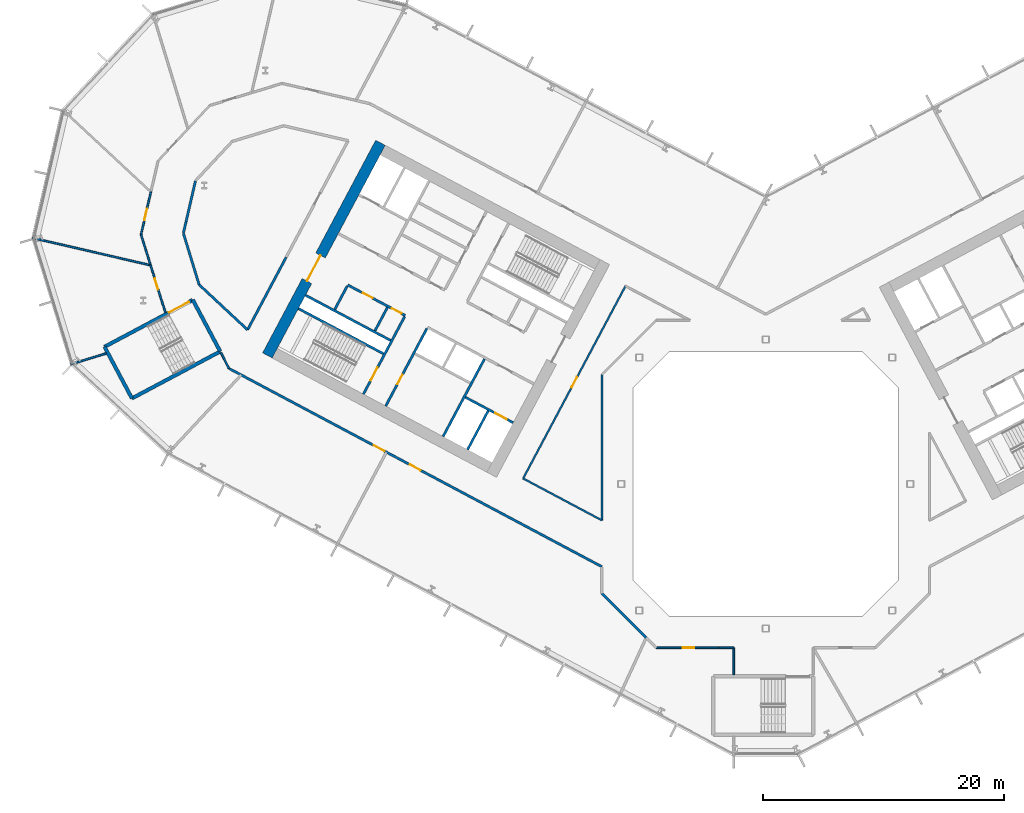
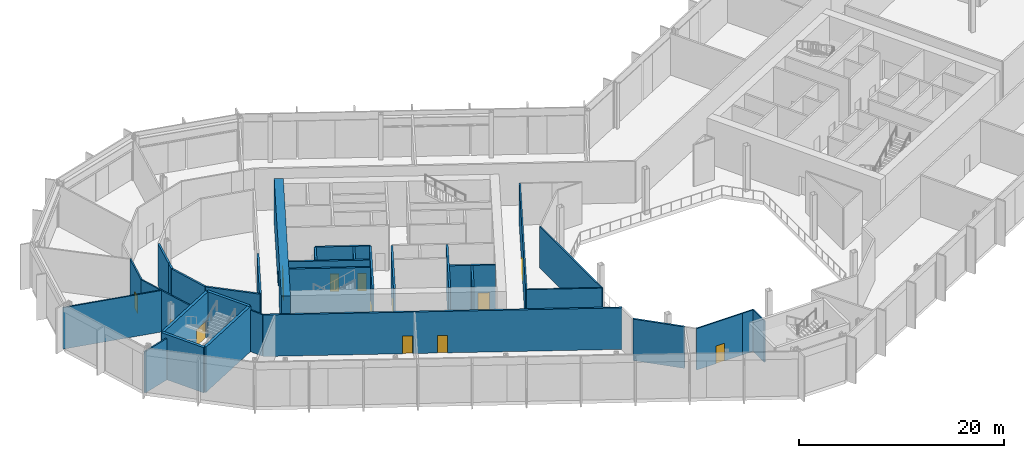
# One storey, part 12 of 30: 34 walls, 13 doors, 13 openings.
"""IFC4 building model written with IfcOpenShell, lengths in metres."""

from ifc_helpers import new_model, si_unit, direction, frame, frame_2d, origin, place, context, subcontext, project, spatial, rectangle, extrude, material, layer, layer_set, type_object, element, fill, save


model = new_model("IFC4")

# Units and contexts
model_context = context("Model", 3, precision=1e-05, world=origin(), true_north=direction((0.0, 1.0)))
body_context = subcontext(model_context, "Body", "Model", "MODEL_VIEW")
ifc_project = project(units=[si_unit("LENGTHUNIT", "METRE"), si_unit("AREAUNIT", "SQUARE_METRE"), si_unit("VOLUMEUNIT", "CUBIC_METRE"), si_unit("PLANEANGLEUNIT", "RADIAN"), si_unit("MASSUNIT", "GRAM", prefix="KILO")], contexts=[model_context])

# Site, building, storey
site_placement = place(None, origin())
site = spatial("IfcSite", under=ifc_project, at=site_placement, CompositionType="ELEMENT")
building_placement = place(site_placement, origin())
building = spatial("IfcBuilding", under=site, at=building_placement, Name="Cormorant Relay Tower", CompositionType="ELEMENT")
storey_placement = place(building_placement, frame((0.0, 0.0, 55.39990234375)))
storey = spatial("IfcBuildingStorey", under=building, at=storey_placement, Name="L10", CompositionType="ELEMENT", Elevation=55.39990234375)

# Walls
ifc_material_1 = material(Name="Concrete 40 MPa", Category="concrete")
ifc_layer_1 = layer(ifc_material_1, 0.199951171875)
ifc_layer_set_1 = layer_set([ifc_layer_1], Name="Core internal wall 200")
wall_type_1 = type_object("IfcWallType", Name="Core internal wall 200", PredefinedType="SOLIDWALL", material=ifc_layer_set_1)
wall_1_placement = place(storey_placement, frame((-31.41259765625, 14.663818359375, 0.0), z_axis=(0.0, 0.0, 1.0), x_axis=(-0.469533832133, -0.882914480843, 0.0)))
element("IfcWall", 1, at=wall_1_placement, inside=storey, type_object=wall_type_1, Name="L10 core A shaft and room wall", PredefinedType="SOLIDWALL", context=body_context, shape_type="SweptSolid", body=[
    extrude(rectangle(XDim=2.199951171875, YDim=0.199951171875, at=frame_2d((1.10009765625, 0.0))), origin(), (0.0, 0.0, 1.0), 5.400146484375),
])
ifc_material_2 = material(Name="Concrete 50 MPa", Category="concrete")
ifc_layer_2 = layer(ifc_material_2, 0.199951171875)
ifc_layer_set_2 = layer_set([ifc_layer_2], Name="Core shaft wall 200")
wall_type_2 = type_object("IfcWallType", Name="Core shaft wall 200", PredefinedType="SHEAR", material=ifc_layer_set_2)
wall_2_placement = place(storey_placement, frame((-23.04296875, 6.07958984375, 0.0), z_axis=(0.0, 0.0, 1.0), x_axis=(-0.469494272526, -0.882935517501, 0.0)))
element("IfcWall", 2, at=wall_2_placement, inside=storey, type_object=wall_type_2, Name="L10 core A shaft wall", PredefinedType="SHEAR", context=body_context, shape_type="SweptSolid", body=[
    extrude(rectangle(XDim=3.64990234375, YDim=0.199951171875, at=frame_2d((1.824951171875, 0.0))), origin(), (0.0, 0.0, 1.0), 5.400146484375),
])
wall_3_placement = place(storey_placement, frame((-23.360107421875, 10.38232421875, 0.0), z_axis=(0.0, 0.0, 1.0), x_axis=(-0.469480409012, -0.88294288918, 0.0)))
element("IfcWall", 3, at=wall_3_placement, inside=storey, type_object=wall_type_2, Name="L10 core A shaft wall", PredefinedType="SHEAR", context=body_context, shape_type="SweptSolid", body=[
    extrude(rectangle(XDim=7.300048828125, YDim=0.199951171875, at=frame_2d((3.64990234375, 0.0))), origin(), (0.0, 0.0, 1.0), 5.400146484375),
])

# Wall, opening, door
wall_4_placement = place(storey_placement, frame((-28.128173828125, 12.91748046875, 0.0), z_axis=(0.0, 0.0, 1.0), x_axis=(-0.469454336211, -0.882956752176, 0.0)))
wall_4 = element("IfcWall", 4, at=wall_4_placement, inside=storey, type_object=wall_type_2, Name="L10 core A shaft wall", PredefinedType="SHEAR", context=body_context, shape_type="SweptSolid", body=[
    extrude(rectangle(XDim=7.300048828125, YDim=0.199951171875, at=frame_2d((3.64990234375, 0.0))), origin(), (0.0, 0.0, 1.0), 5.400146484375),
])
opening_1_placement = place(wall_4_placement, frame((4.35009765625, 0.0, 0.0)))
opening_1 = element("IfcOpeningElement", 5, at=opening_1_placement, cuts=wall_4, Name="Opening CDD-096", PredefinedType="OPENING", context=body_context, shape_type="SweptSolid", body=[
    extrude(rectangle(XDim=0.89990234375, YDim=2.10009765625, at=frame_2d((0.449951171875, 1.050048828125))), frame((0.0, 0.10986328125, 0.0), z_axis=(0.0, -1.0, 0.0), x_axis=(1.0, 0.0, 0.0)), (0.0, 0.0, 1.0), 0.219970703125),
])
ifc_material_3 = material(Name="Steel fire door", Category="steel")
door_type_1 = type_object("IfcDoorType", Name="Core room door 900x2100", OperationType="SINGLE_SWING_LEFT", PredefinedType="DOOR", material=ifc_material_3)
door_1_placement = place(opening_1_placement, origin())
door_1 = element("IfcDoor", 6, at=door_1_placement, inside=storey, type_object=door_type_1, Name="Core room door 900x2100", OperationType="SINGLE_SWING_LEFT", OverallHeight=2.10009765625, OverallWidth=0.89990234375, PredefinedType="DOOR", context=body_context, shape_type="SweptSolid", body=[
    extrude(rectangle(XDim=0.89990234375, YDim=2.10009765625, at=frame_2d((0.449951171875, 1.050048828125))), frame((0.0, 0.02490234375, 0.0), z_axis=(0.0, -1.0, 0.0), x_axis=(1.0, 0.0, 0.0)), (0.0, 0.0, 1.0), 0.050048828125),
])
fill(opening_1, door_1)

wall_5_placement = place(storey_placement, frame((-29.982421875, 13.9033203125, 0.0), z_axis=(0.0, 0.0, 1.0), x_axis=(-0.469454336211, -0.882956752176, 0.0)))
wall_5 = element("IfcWall", 7, at=wall_5_placement, inside=storey, type_object=wall_type_2, Name="L10 core A shaft wall", PredefinedType="SHEAR", context=body_context, shape_type="SweptSolid", body=[
    extrude(rectangle(XDim=7.300048828125, YDim=0.199951171875, at=frame_2d((3.64990234375, 0.0))), origin(), (0.0, 0.0, 1.0), 5.400146484375),
])
opening_2_placement = place(wall_5_placement, frame((4.800048828125, 0.0, 0.0)))
opening_2 = element("IfcOpeningElement", 8, at=opening_2_placement, cuts=wall_5, Name="Opening CDB-020", PredefinedType="OPENING", context=body_context, shape_type="SweptSolid", body=[
    extrude(rectangle(XDim=1.199951171875, YDim=2.10009765625, at=frame_2d((0.60009765625, 1.050048828125))), frame((0.0, 0.10986328125, 0.0), z_axis=(0.0, -1.0, 0.0), x_axis=(1.0, 0.0, 0.0)), (0.0, 0.0, 1.0), 0.219970703125),
])
ifc_material_4 = material(Name="Steel fire door", Category="steel")
door_type_2 = type_object("IfcDoorType", Name="Core stair door 1200x2100", OperationType="SINGLE_SWING_LEFT", PredefinedType="DOOR", material=ifc_material_4)
door_2_placement = place(opening_2_placement, frame((1.199951171875, 0.0, 0.0), z_axis=(0.0, 0.0, 1.0), x_axis=(-1.0, 0.0, 0.0)))
door_2 = element("IfcDoor", 9, at=door_2_placement, inside=storey, type_object=door_type_2, Name="Core stair door 1200x2100", OperationType="SINGLE_SWING_RIGHT", OverallHeight=2.10009765625, OverallWidth=1.199951171875, PredefinedType="DOOR", context=body_context, shape_type="SweptSolid", body=[
    extrude(rectangle(XDim=1.199951171875, YDim=2.10009765625, at=frame_2d((0.60009765625, 1.050048828125))), frame((0.0, 0.02490234375, 0.0), z_axis=(0.0, -1.0, 0.0), x_axis=(1.0, 0.0, 0.0)), (0.0, 0.0, 1.0), 0.050048828125),
])
fill(opening_2, door_2)

# Wall
wall_6_placement = place(storey_placement, frame((-34.750244140625, 16.4384765625, 0.0), z_axis=(0.0, 0.0, 1.0), x_axis=(-0.469401318492, -0.882984938828, 0.0)))
element("IfcWall", 10, at=wall_6_placement, inside=storey, type_object=wall_type_2, Name="L10 core A shaft wall", PredefinedType="SHEAR", context=body_context, shape_type="SweptSolid", body=[
    extrude(rectangle(XDim=2.199951171875, YDim=0.199951171875, at=frame_2d((1.10009765625, 0.0))), origin(), (0.0, 0.0, 1.0), 5.400146484375),
])

# Wall, openings, doors
wall_7_placement = place(storey_placement, frame((-29.935302734375, 13.991455078125, 0.0), z_axis=(0.0, 0.0, 1.0), x_axis=(-0.882952937579, 0.469461510692, 0.0)))
wall_7 = element("IfcWall", 11, at=wall_7_placement, inside=storey, type_object=wall_type_2, Name="L10 core A shaft wall", PredefinedType="SHEAR", context=body_context, shape_type="SweptSolid", body=[
    extrude(rectangle(XDim=5.400146484375, YDim=0.199951171875, at=frame_2d((2.7001953125, 0.0))), origin(), (0.0, 0.0, 1.0), 5.400146484375),
])
opening_3_placement = place(wall_7_placement, frame((0.360107421875, 0.0, 0.0)))
opening_3 = element("IfcOpeningElement", 12, at=opening_3_placement, cuts=wall_7, Name="Opening CDD-063", PredefinedType="OPENING", context=body_context, shape_type="SweptSolid", body=[
    extrude(rectangle(XDim=0.89990234375, YDim=2.10009765625, at=frame_2d((0.449951171875, 1.050048828125))), frame((0.0, 0.10986328125, 0.0), z_axis=(0.0, -1.0, 0.0), x_axis=(1.0, 0.0, 0.0)), (0.0, 0.0, 1.0), 0.219970703125),
])
opening_4_placement = place(wall_7_placement, frame((3.06005859375, 0.0, 0.0)))
opening_4 = element("IfcOpeningElement", 13, at=opening_4_placement, cuts=wall_7, Name="Opening CDD-064", PredefinedType="OPENING", context=body_context, shape_type="SweptSolid", body=[
    extrude(rectangle(XDim=0.89990234375, YDim=2.10009765625, at=frame_2d((0.449951171875, 1.050048828125))), frame((0.0, 0.10986328125, 0.0), z_axis=(0.0, -1.0, 0.0), x_axis=(1.0, 0.0, 0.0)), (0.0, 0.0, 1.0), 0.219970703125),
])
door_3_placement = place(opening_3_placement, origin())
door_3 = element("IfcDoor", 14, at=door_3_placement, inside=storey, type_object=door_type_1, Name="Core room door 900x2100", OperationType="SINGLE_SWING_LEFT", OverallHeight=2.10009765625, OverallWidth=0.89990234375, PredefinedType="DOOR", context=body_context, shape_type="SweptSolid", body=[
    extrude(rectangle(XDim=0.89990234375, YDim=2.10009765625, at=frame_2d((0.449951171875, 1.050048828125))), frame((0.0, 0.02490234375, 0.0), z_axis=(0.0, -1.0, 0.0), x_axis=(1.0, 0.0, 0.0)), (0.0, 0.0, 1.0), 0.050048828125),
])
fill(opening_3, door_3)
door_4_placement = place(opening_4_placement, origin())
door_4 = element("IfcDoor", 15, at=door_4_placement, inside=storey, type_object=door_type_1, Name="Core room door 900x2100", OperationType="SINGLE_SWING_LEFT", OverallHeight=2.10009765625, OverallWidth=0.89990234375, PredefinedType="DOOR", context=body_context, shape_type="SweptSolid", body=[
    extrude(rectangle(XDim=0.89990234375, YDim=2.10009765625, at=frame_2d((0.449951171875, 1.050048828125))), frame((0.0, 0.02490234375, 0.0), z_axis=(0.0, -1.0, 0.0), x_axis=(1.0, 0.0, 0.0)), (0.0, 0.0, 1.0), 0.050048828125),
])
fill(opening_4, door_4)

# Wall
wall_8_placement = place(storey_placement, frame((-31.150390625, 11.91943359375, 0.0), z_axis=(0.0, 0.0, 1.0), x_axis=(-0.882940221191, 0.469485426614, 0.0)))
element("IfcWall", 16, at=wall_8_placement, inside=storey, type_object=wall_type_2, Name="L10 core A shaft wall", PredefinedType="SHEAR", context=body_context, shape_type="SweptSolid", body=[
    extrude(rectangle(XDim=8.0, YDim=0.199951171875, at=frame_2d((4.0, 0.0))), origin(), (0.0, 0.0, 1.0), 5.400146484375),
])

# Wall, opening, door
wall_9_placement = place(storey_placement, frame((-20.96533203125, 5.088134765625, 0.0), z_axis=(0.0, 0.0, 1.0), x_axis=(-0.882925986334, 0.469512196493, 0.0)))
wall_9 = element("IfcWall", 17, at=wall_9_placement, inside=storey, type_object=wall_type_2, Name="L10 core A shaft wall", PredefinedType="SHEAR", context=body_context, shape_type="SweptSolid", body=[
    extrude(rectangle(XDim=4.5, YDim=0.199951171875, at=frame_2d((2.25, 0.0))), origin(), (0.0, 0.0, 1.0), 5.400146484375),
])
opening_5_placement = place(wall_9_placement, frame((0.60009765625, 0.0, 0.0)))
opening_5 = element("IfcOpeningElement", 18, at=opening_5_placement, cuts=wall_9, Name="Opening LD1-019", PredefinedType="OPENING", context=body_context, shape_type="SweptSolid", body=[
    extrude(rectangle(XDim=1.10009765625, YDim=2.10009765625, at=frame_2d((0.550048828125, 1.050048828125))), frame((0.0, 0.10986328125, 0.0), z_axis=(0.0, -1.0, 0.0), x_axis=(1.0, 0.0, 0.0)), (0.0, 0.0, 1.0), 0.219970703125),
])
ifc_material_5 = material(Name="Stainless steel 316", Category="steel")
door_type_3 = type_object("IfcDoorType", Name="Lift landing door 1100x2100", OperationType="DOUBLE_DOOR_SLIDING", PredefinedType="DOOR", material=ifc_material_5)
door_5_placement = place(opening_5_placement, origin())
door_5 = element("IfcDoor", 19, at=door_5_placement, inside=storey, type_object=door_type_3, Name="FF1 landing door", OperationType="DOUBLE_DOOR_SLIDING", OverallHeight=2.10009765625, OverallWidth=1.10009765625, PredefinedType="DOOR", context=body_context, shape_type="SweptSolid", body=[
    extrude(rectangle(XDim=1.10009765625, YDim=2.10009765625, at=frame_2d((0.550048828125, 1.050048828125))), frame((0.0, 0.02490234375, 0.0), z_axis=(0.0, -1.0, 0.0), x_axis=(1.0, 0.0, 0.0)), (0.0, 0.0, 1.0), 0.050048828125),
])
fill(opening_5, door_5)

# Wall
wall_10_placement = place(storey_placement, frame((-31.7373046875, 10.815673828125, 0.0), z_axis=(0.0, 0.0, 1.0), x_axis=(-0.882940221191, 0.469485426614, 0.0)))
element("IfcWall", 20, at=wall_10_placement, inside=storey, type_object=wall_type_2, Name="L10 core A shaft wall", PredefinedType="SHEAR", context=body_context, shape_type="SweptSolid", body=[
    extrude(rectangle(XDim=8.0, YDim=0.199951171875, at=frame_2d((4.0, 0.0))), origin(), (0.0, 0.0, 1.0), 5.400146484375),
])

# Wall, opening, door
ifc_material_6 = material(Name="Concrete 70 MPa", Category="concrete")
ifc_layer_3 = layer(ifc_material_6, 0.89990234375)
ifc_layer_set_3 = layer_set([ifc_layer_3], Name="Core wall 900")
wall_type_3 = type_object("IfcWallType", Name="Core wall 900", PredefinedType="SHEAR", material=ifc_layer_set_3)
wall_11_placement = place(storey_placement, frame((-31.99169921875, 28.3359375, 0.0), z_axis=(0.0, 0.0, 1.0), x_axis=(-0.46947084998, -0.882947971864, 0.0)))
wall_11 = element("IfcWall", 21, at=wall_11_placement, inside=storey, type_object=wall_type_3, Name="L10 core A wall", PredefinedType="SHEAR", context=body_context, shape_type="SweptSolid", body=[
    extrude(rectangle(XDim=20.0, YDim=0.89990234375, at=frame_2d((10.0, 0.0))), origin(), (0.0, 0.0, 1.0), 5.400146484375),
])
opening_6_placement = place(wall_11_placement, frame((10.60009765625, 0.0, 0.0)))
opening_6 = element("IfcOpeningElement", 22, at=opening_6_placement, cuts=wall_11, Name="Opening CDA-014", PredefinedType="OPENING", context=body_context, shape_type="SweptSolid", body=[
    extrude(rectangle(XDim=2.39990234375, YDim=2.39990234375, at=frame_2d((1.199951171875, 1.199951171875))), frame((0.0, 0.4599609375, 0.0), z_axis=(0.0, -1.0, 0.0), x_axis=(1.0, 0.0, 0.0)), (0.0, 0.0, 1.0), 0.919921875),
])
ifc_material_7 = material(Name="Steel fire door", Category="steel")
door_type_4 = type_object("IfcDoorType", Name="Core lobby door 2400x2400", OperationType="DOUBLE_DOOR_SINGLE_SWING", PredefinedType="DOOR", material=ifc_material_7)
door_6_placement = place(opening_6_placement, origin())
door_6 = element("IfcDoor", 23, at=door_6_placement, inside=storey, type_object=door_type_4, Name="Core lobby door 2400x2400", OperationType="DOUBLE_DOOR_SINGLE_SWING", OverallHeight=2.39990234375, OverallWidth=2.39990234375, PredefinedType="DOOR", context=body_context, shape_type="SweptSolid", body=[
    extrude(rectangle(XDim=2.39990234375, YDim=2.39990234375, at=frame_2d((1.199951171875, 1.199951171875))), frame((0.0, 0.02490234375, 0.0), z_axis=(0.0, -1.0, 0.0), x_axis=(1.0, 0.0, 0.0)), (0.0, 0.0, 1.0), 0.050048828125),
])
fill(opening_6, door_6)

# Walls
ifc_material_8 = material(Name="Fire-rated gypsum board partition")
ifc_layer_4 = layer(ifc_material_8, 0.199951171875)
ifc_layer_set_4 = layer_set([ifc_layer_4], Name="Fire-rated gypsum partition 200")
wall_type_4 = type_object("IfcWallType", Name="Fire-rated gypsum partition 200", PredefinedType="PARTITIONING", material=ifc_layer_set_4)
wall_12_placement = place(storey_placement, frame((-48.137939453125, 21.76806640625, 0.0), z_axis=(0.0, 0.0, 1.0), x_axis=(0.224910471472, 0.974379433189, 0.0)))
element("IfcWall", 24, at=wall_12_placement, inside=storey, type_object=wall_type_4, Name="wall/L10/part/12", PredefinedType="PARTITIONING", context=body_context, shape_type="SweptSolid", body=[
    extrude(rectangle(XDim=3.49853515625, YDim=0.199951171875, at=frame_2d((1.749267578125, 0.0))), origin(), (0.0, 0.0, 1.0), 4.9501953125),
])
wall_13_placement = place(storey_placement, frame((-43.02587890625, 12.802001953125, 0.0), z_axis=(0.0, 0.0, 1.0), x_axis=(-0.731412266015, 0.68193555203, 0.0)))
element("IfcWall", 25, at=wall_13_placement, inside=storey, type_object=wall_type_4, Name="wall/L10/part/14", PredefinedType="PARTITIONING", context=body_context, shape_type="SweptSolid", body=[
    extrude(rectangle(XDim=5.501953125, YDim=0.199951171875, at=frame_2d((2.7509765625, 0.0))), origin(), (0.0, 0.0, 1.0), 4.9501953125),
])
wall_14_placement = place(storey_placement, frame((-47.050048828125, 16.553955078125, 0.0), z_axis=(0.0, 0.0, 1.0), x_axis=(-0.292399072869, 0.956296388253, 0.0)))
element("IfcWall", 26, at=wall_14_placement, inside=storey, type_object=wall_type_4, Name="wall/L10/part/15", PredefinedType="PARTITIONING", context=body_context, shape_type="SweptSolid", body=[
    extrude(rectangle(XDim=4.466064453125, YDim=0.199951171875, at=frame_2d((2.23291015625, 0.0))), origin(), (0.0, 0.0, 1.0), 4.9501953125),
])
wall_15_placement = place(storey_placement, frame((-48.35595703125, 20.824951171875, 0.0), z_axis=(0.0, 0.0, 1.0), x_axis=(0.225227894395, 0.974306109796, 0.0)))
element("IfcWall", 27, at=wall_15_placement, inside=storey, type_object=wall_type_4, Name="wall/L10/part/16", PredefinedType="PARTITIONING", context=body_context, shape_type="SweptSolid", body=[
    extrude(rectangle(XDim=0.968017578125, YDim=0.199951171875, at=frame_2d((0.48388671875, 0.0))), origin(), (0.0, 0.0, 1.0), 4.9501953125),
])

# Wall, openings, doors
wall_16_placement = place(storey_placement, frame((-13.60009765625, -6.868896484375, 0.0), z_axis=(0.0, 0.0, 1.0), x_axis=(-0.88295406426, 0.469459391648, 0.0)))
wall_16 = element("IfcWall", 28, at=wall_16_placement, inside=storey, type_object=wall_type_4, Name="wall/L10/part/21", PredefinedType="PARTITIONING", context=body_context, shape_type="SweptSolid", body=[
    extrude(rectangle(XDim=35.091064453125, YDim=0.199951171875, at=frame_2d((17.54541015625, 0.0))), origin(), (0.0, 0.0, 1.0), 4.9501953125),
])
opening_7_placement = place(wall_16_placement, frame((20.449951171875, 0.0, 0.0)))
opening_7 = element("IfcOpeningElement", 29, at=opening_7_placement, cuts=wall_16, Name="Opening FD1-051", PredefinedType="OPENING", context=body_context, shape_type="SweptSolid", body=[
    extrude(rectangle(XDim=1.0, YDim=2.10009765625, at=frame_2d((0.5, 1.050048828125))), frame((0.0, 0.10986328125, 0.0), z_axis=(0.0, -1.0, 0.0), x_axis=(1.0, 0.0, 0.0)), (0.0, 0.0, 1.0), 0.219970703125),
])
opening_8_placement = place(wall_16_placement, frame((17.050048828125, 0.0, 0.0)))
opening_8 = element("IfcOpeningElement", 30, at=opening_8_placement, cuts=wall_16, Name="Opening FD1-052", PredefinedType="OPENING", context=body_context, shape_type="SweptSolid", body=[
    extrude(rectangle(XDim=1.0, YDim=2.10009765625, at=frame_2d((0.5, 1.050048828125))), frame((0.0, 0.10986328125, 0.0), z_axis=(0.0, -1.0, 0.0), x_axis=(1.0, 0.0, 0.0)), (0.0, 0.0, 1.0), 0.219970703125),
])
ifc_material_9 = material(Name="Fire-rated steel door", Category="steel")
door_type_5 = type_object("IfcDoorType", Name="Fire door 1000 x 2100", OperationType="SINGLE_SWING_LEFT", PredefinedType="DOOR", material=ifc_material_9)
door_7_placement = place(opening_7_placement, origin())
door_7 = element("IfcDoor", 31, at=door_7_placement, inside=storey, type_object=door_type_5, Name="door/L10/18", OperationType="SINGLE_SWING_LEFT", OverallHeight=2.10009765625, OverallWidth=1.0, PredefinedType="DOOR", context=body_context, shape_type="SweptSolid", body=[
    extrude(rectangle(XDim=1.0, YDim=2.10009765625, at=frame_2d((0.5, 1.050048828125))), frame((0.0, 0.02490234375, 0.0), z_axis=(0.0, -1.0, 0.0), x_axis=(1.0, 0.0, 0.0)), (0.0, 0.0, 1.0), 0.050048828125),
])
fill(opening_7, door_7)
door_8_placement = place(opening_8_placement, origin())
door_8 = element("IfcDoor", 32, at=door_8_placement, inside=storey, type_object=door_type_5, Name="door/L10/19", OperationType="SINGLE_SWING_LEFT", OverallHeight=2.10009765625, OverallWidth=1.0, PredefinedType="DOOR", context=body_context, shape_type="SweptSolid", body=[
    extrude(rectangle(XDim=1.0, YDim=2.10009765625, at=frame_2d((0.5, 1.050048828125))), frame((0.0, 0.02490234375, 0.0), z_axis=(0.0, -1.0, 0.0), x_axis=(1.0, 0.0, 0.0)), (0.0, 0.0, 1.0), 0.050048828125),
])
fill(opening_8, door_8)

# Walls
wall_17_placement = place(storey_placement, frame((-39.825927734375, 18.820068359375, 0.0), z_axis=(0.0, 0.0, 1.0), x_axis=(-0.469481685648, -0.882942210363, 0.0)))
element("IfcWall", 33, at=wall_17_placement, inside=storey, type_object=wall_type_4, Name="wall/L10/part/23", PredefinedType="PARTITIONING", context=body_context, shape_type="SweptSolid", body=[
    extrude(rectangle(XDim=6.81591796875, YDim=0.199951171875, at=frame_2d((3.407958984375, 0.0))), origin(), (0.0, 0.0, 1.0), 4.9501953125),
])
wall_18_placement = place(storey_placement, frame((-9.91796875, -12.759033203125, 0.0), z_axis=(0.0, 0.0, 1.0), x_axis=(-0.707106781187, 0.707106781187, 0.0)))
element("IfcWall", 34, at=wall_18_placement, inside=storey, type_object=wall_type_4, Name="wall/L10/part/39", PredefinedType="PARTITIONING", context=body_context, shape_type="SweptSolid", body=[
    extrude(rectangle(XDim=5.207275390625, YDim=0.199951171875, at=frame_2d((2.603515625, 0.0))), origin(), (0.0, 0.0, 1.0), 4.9501953125),
])
ifc_material_10 = material(Name="Gypsum board partition")
ifc_layer_5 = layer(ifc_material_10, 0.14990234375)
ifc_layer_set_5 = layer_set([ifc_layer_5], Name="Gypsum board partition 150")
wall_type_5 = type_object("IfcWallType", Name="Gypsum board partition 150", PredefinedType="PARTITIONING", material=ifc_layer_set_5)
wall_19_placement = place(storey_placement, frame((-51.080078125, 18.16796875, 0.0), z_axis=(0.0, 0.0, 1.0), x_axis=(-0.974375306075, 0.224928350615, 0.0)))
element("IfcWall", 35, at=wall_19_placement, inside=storey, type_object=wall_type_5, Name="wall/L10/part/1", PredefinedType="PARTITIONING", context=body_context, shape_type="SweptSolid", body=[
    extrude(rectangle(XDim=10.100830078125, YDim=0.14990234375, at=frame_2d((5.05029296875, 0.0))), origin(), (0.0, 0.0, 1.0), 4.9501953125),
])
wall_20_placement = place(storey_placement, frame((-54.7607421875, 10.847900390625, 0.0), z_axis=(0.0, 0.0, 1.0), x_axis=(-0.956301064033, -0.29238378021, 0.0)))
element("IfcWall", 36, at=wall_20_placement, inside=storey, type_object=wall_type_5, Name="wall/L10/part/3", PredefinedType="PARTITIONING", context=body_context, shape_type="SweptSolid", body=[
    extrude(rectangle(XDim=3.115478515625, YDim=0.14990234375, at=frame_2d((1.5576171875, 0.0))), origin(), (0.0, 0.0, 1.0), 4.9501953125),
])

# Wall, opening, door
wall_21_placement = place(storey_placement, frame((-51.041015625, 24.31103515625, 0.0), z_axis=(0.0, 0.0, 1.0), x_axis=(-0.224893203367, -0.974383418927, 0.0)))
wall_21 = element("IfcWall", 37, at=wall_21_placement, inside=storey, type_object=wall_type_5, Name="wall/L10/part/4", PredefinedType="PARTITIONING", context=body_context, shape_type="SweptSolid", body=[
    extrude(rectangle(XDim=3.7041015625, YDim=0.14990234375, at=frame_2d((1.85205078125, 0.0))), origin(), (0.0, 0.0, 1.0), 4.9501953125),
])
opening_9_placement = place(wall_21_placement, frame((1.48193359375, 0.0, 0.0)))
opening_9 = element("IfcOpeningElement", 38, at=opening_9_placement, cuts=wall_21, Name="Opening D1-020", PredefinedType="OPENING", context=body_context, shape_type="SweptSolid", body=[
    extrude(rectangle(XDim=1.0, YDim=2.10009765625, at=frame_2d((0.5, 1.050048828125))), frame((0.0, 0.0849609375, 0.0), z_axis=(0.0, -1.0, 0.0), x_axis=(1.0, 0.0, 0.0)), (0.0, 0.0, 1.0), 0.169921875),
])
ifc_material_11 = material(Name="Painted steel door", Category="steel")
door_type_6 = type_object("IfcDoorType", Name="Single door 1000 x 2100", OperationType="SINGLE_SWING_LEFT", PredefinedType="DOOR", material=ifc_material_11)
door_9_placement = place(opening_9_placement, frame((1.0, 0.0, 0.0), z_axis=(0.0, 0.0, 1.0), x_axis=(-1.0, 0.0, 0.0)))
door_9 = element("IfcDoor", 39, at=door_9_placement, inside=storey, type_object=door_type_6, Name="door/L10/16", OperationType="SINGLE_SWING_RIGHT", OverallHeight=2.10009765625, OverallWidth=1.0, PredefinedType="DOOR", context=body_context, shape_type="SweptSolid", body=[
    extrude(rectangle(XDim=1.0, YDim=2.10009765625, at=frame_2d((0.5, 1.050048828125))), frame((0.0, 0.02490234375, 0.0), z_axis=(0.0, -1.0, 0.0), x_axis=(1.0, 0.0, 0.0)), (0.0, 0.0, 1.0), 0.050048828125),
])
fill(opening_9, door_9)

# Wall
wall_22_placement = place(storey_placement, frame((-51.8740234375, 20.701904296875, 0.0), z_axis=(0.0, 0.0, 1.0), x_axis=(0.299019355328, -0.954247046178, 0.0)))
element("IfcWall", 40, at=wall_22_placement, inside=storey, type_object=wall_type_5, Name="wall/L10/part/5", PredefinedType="PARTITIONING", context=body_context, shape_type="SweptSolid", body=[
    extrude(rectangle(XDim=2.595458984375, YDim=0.14990234375, at=frame_2d((1.2978515625, 0.0))), origin(), (0.0, 0.0, 1.0), 4.9501953125),
])

# Wall, opening, door
wall_23_placement = place(storey_placement, frame((-49.847412109375, 14.233642578125, 0.0), z_axis=(0.0, 0.0, 1.0), x_axis=(-0.29896287329, 0.954264743346, 0.0)))
wall_23 = element("IfcWall", 41, at=wall_23_placement, inside=storey, type_object=wall_type_5, Name="wall/L10/part/6", PredefinedType="PARTITIONING", context=body_context, shape_type="SweptSolid", body=[
    extrude(rectangle(XDim=4.182861328125, YDim=0.14990234375, at=frame_2d((2.09130859375, 0.0))), origin(), (0.0, 0.0, 1.0), 4.9501953125),
])
opening_10_placement = place(wall_23_placement, frame((2.014892578125, 0.0, 0.0)))
opening_10 = element("IfcOpeningElement", 42, at=opening_10_placement, cuts=wall_23, Name="Opening D2-007", PredefinedType="OPENING", context=body_context, shape_type="SweptSolid", body=[
    extrude(rectangle(XDim=0.949951171875, YDim=2.10009765625, at=frame_2d((0.47509765625, 1.050048828125))), frame((0.0, 0.0849609375, 0.0), z_axis=(0.0, -1.0, 0.0), x_axis=(1.0, 0.0, 0.0)), (0.0, 0.0, 1.0), 0.169921875),
])
ifc_material_12 = material(Name="Timber door", Category="wood")
door_type_7 = type_object("IfcDoorType", Name="Toilet door 950 x 2100", OperationType="SINGLE_SWING_LEFT", PredefinedType="DOOR", material=ifc_material_12)
door_10_placement = place(opening_10_placement, origin())
door_10 = element("IfcDoor", 43, at=door_10_placement, inside=storey, type_object=door_type_7, Name="door/L10/17", OperationType="SINGLE_SWING_RIGHT", OverallHeight=2.10009765625, OverallWidth=0.949951171875, PredefinedType="DOOR", context=body_context, shape_type="SweptSolid", body=[
    extrude(rectangle(XDim=0.949951171875, YDim=2.10009765625, at=frame_2d((0.47509765625, 1.050048828125))), frame((0.0, 0.02490234375, 0.0), z_axis=(0.0, -1.0, 0.0), x_axis=(1.0, 0.0, 0.0)), (0.0, 0.0, 1.0), 0.050048828125),
])
fill(opening_10, door_10)

# Wall
wall_24_placement = place(storey_placement, frame((-44.583984375, 9.60498046875, 0.0), z_axis=(0.0, 0.0, 1.0), x_axis=(-0.445453249083, 0.895305200968, 0.0)))
element("IfcWall", 44, at=wall_24_placement, inside=storey, type_object=wall_type_5, Name="wall/L10/part/22", PredefinedType="PARTITIONING", context=body_context, shape_type="SweptSolid", body=[
    extrude(rectangle(XDim=1.443115234375, YDim=0.14990234375, at=frame_2d((0.7216796875, 0.0))), origin(), (0.0, 0.0, 1.0), 4.9501953125),
])

# Wall, opening, door
wall_25_placement = place(storey_placement, frame((-20.14208984375, 0.4599609375, 0.0), z_axis=(0.0, 0.0, 1.0), x_axis=(0.469506937019, 0.882928783136, 0.0)))
wall_25 = element("IfcWall", 45, at=wall_25_placement, inside=storey, type_object=wall_type_5, Name="wall/L10/part/35", PredefinedType="PARTITIONING", context=body_context, shape_type="SweptSolid", body=[
    extrude(rectangle(XDim=18.099853515625, YDim=0.14990234375, at=frame_2d((9.0498046875, 0.0))), origin(), (0.0, 0.0, 1.0), 4.9501953125),
])
opening_11_placement = place(wall_25_placement, frame((8.550048828125, 0.0, 0.0)))
opening_11 = element("IfcOpeningElement", 46, at=opening_11_placement, cuts=wall_25, Name="Opening D1-021", PredefinedType="OPENING", context=body_context, shape_type="SweptSolid", body=[
    extrude(rectangle(XDim=1.0, YDim=2.10009765625, at=frame_2d((0.5, 1.050048828125))), frame((0.0, 0.0849609375, 0.0), z_axis=(0.0, -1.0, 0.0), x_axis=(1.0, 0.0, 0.0)), (0.0, 0.0, 1.0), 0.169921875),
])
door_11_placement = place(opening_11_placement, frame((1.0, 0.0, 0.0), z_axis=(0.0, 0.0, 1.0), x_axis=(-1.0, 0.0, 0.0)))
door_11 = element("IfcDoor", 47, at=door_11_placement, inside=storey, type_object=door_type_6, Name="door/L10/2", OperationType="SINGLE_SWING_LEFT", OverallHeight=2.10009765625, OverallWidth=1.0, PredefinedType="DOOR", context=body_context, shape_type="SweptSolid", body=[
    extrude(rectangle(XDim=1.0, YDim=2.10009765625, at=frame_2d((0.5, 1.050048828125))), frame((0.0, 0.02490234375, 0.0), z_axis=(0.0, -1.0, 0.0), x_axis=(1.0, 0.0, 0.0)), (0.0, 0.0, 1.0), 0.050048828125),
])
fill(opening_11, door_11)

# Walls
wall_26_placement = place(storey_placement, frame((-13.60009765625, -3.01904296875, 0.0), z_axis=(0.0, 0.0, 1.0), x_axis=(-0.882915984826, 0.469531004022, 0.0)))
element("IfcWall", 48, at=wall_26_placement, inside=storey, type_object=wall_type_5, Name="wall/L10/part/37", PredefinedType="PARTITIONING", context=body_context, shape_type="SweptSolid", body=[
    extrude(rectangle(XDim=7.409423828125, YDim=0.14990234375, at=frame_2d((3.70458984375, 0.0))), origin(), (0.0, 0.0, 1.0), 4.9501953125),
])
wall_27_placement = place(storey_placement, frame((-13.60009765625, 9.076904296875, 0.0), z_axis=(0.0, 0.0, 1.0), x_axis=(0.0, -1.0, 0.0)))
element("IfcWall", 49, at=wall_27_placement, inside=storey, type_object=wall_type_5, Name="wall/L10/part/41", PredefinedType="PARTITIONING", context=body_context, shape_type="SweptSolid", body=[
    extrude(rectangle(XDim=12.095947265625, YDim=0.14990234375, at=frame_2d((6.0478515625, 0.0))), origin(), (0.0, 0.0, 1.0), 4.9501953125),
])

# Wall, opening, door
wall_28_placement = place(storey_placement, frame((-3.887939453125, -13.60009765625, 0.0), z_axis=(0.0, 0.0, 1.0), x_axis=(-1.0, 0.0, 0.0)))
wall_28 = element("IfcWall", 50, at=wall_28_placement, inside=storey, type_object=wall_type_5, Name="wall/L10/part/44", PredefinedType="PARTITIONING", context=body_context, shape_type="SweptSolid", body=[
    extrude(rectangle(XDim=5.18896484375, YDim=0.14990234375, at=frame_2d((2.594482421875, 0.0))), origin(), (0.0, 0.0, 1.0), 4.9501953125),
])
opening_12_placement = place(wall_28_placement, frame((2.050048828125, 0.0, 0.0)))
opening_12 = element("IfcOpeningElement", 51, at=opening_12_placement, cuts=wall_28, Name="Opening D2-008", PredefinedType="OPENING", context=body_context, shape_type="SweptSolid", body=[
    extrude(rectangle(XDim=0.949951171875, YDim=2.10009765625, at=frame_2d((0.47509765625, 1.050048828125))), frame((0.0, 0.0849609375, 0.0), z_axis=(0.0, -1.0, 0.0), x_axis=(1.0, 0.0, 0.0)), (0.0, 0.0, 1.0), 0.169921875),
])
door_12_placement = place(opening_12_placement, origin())
door_12 = element("IfcDoor", 52, at=door_12_placement, inside=storey, type_object=door_type_7, Name="door/L10/20", OperationType="SINGLE_SWING_LEFT", OverallHeight=2.10009765625, OverallWidth=0.949951171875, PredefinedType="DOOR", context=body_context, shape_type="SweptSolid", body=[
    extrude(rectangle(XDim=0.949951171875, YDim=2.10009765625, at=frame_2d((0.47509765625, 1.050048828125))), frame((0.0, 0.02490234375, 0.0), z_axis=(0.0, -1.0, 0.0), x_axis=(1.0, 0.0, 0.0)), (0.0, 0.0, 1.0), 0.050048828125),
])
fill(opening_12, door_12)

# Walls
wall_29_placement = place(storey_placement, frame((-2.64892578125, -15.840087890625, 0.0), z_axis=(0.0, 0.0, 1.0), x_axis=(0.0, 1.0, 0.0)))
element("IfcWall", 53, at=wall_29_placement, inside=storey, type_object=wall_type_5, Name="wall/L10/part/48", PredefinedType="PARTITIONING", context=body_context, shape_type="SweptSolid", body=[
    extrude(rectangle(XDim=2.239990234375, YDim=0.14990234375, at=frame_2d((1.1201171875, 0.0))), origin(), (0.0, 0.0, 1.0), 4.9501953125),
])
wall_30_placement = place(storey_placement, frame((-2.64892578125, -13.60009765625, 0.0), z_axis=(0.0, 0.0, 1.0), x_axis=(-1.0, 0.0, 0.0)))
element("IfcWall", 54, at=wall_30_placement, inside=storey, type_object=wall_type_5, Name="wall/L10/part/49", PredefinedType="PARTITIONING", context=body_context, shape_type="SweptSolid", body=[
    extrude(rectangle(XDim=1.239013671875, YDim=0.14990234375, at=frame_2d((0.61962890625, 0.0))), origin(), (0.0, 0.0, 1.0), 4.9501953125),
])
ifc_material_13 = material(Name="Concrete 50 MPa", Category="concrete")
ifc_layer_6 = layer(ifc_material_13, 0.300048828125)
ifc_layer_set_6 = layer_set([ifc_layer_6], Name="Remote stair wall 300")
wall_type_6 = type_object("IfcWallType", Name="Remote stair wall 300", PredefinedType="SHEAR", material=ifc_layer_set_6)
wall_31_placement = place(storey_placement, frame((-47.57421875, 15.28955078125, 0.0), z_axis=(0.0, 0.0, 1.0), x_axis=(0.469443498566, -0.882962514297, 0.0)))
element("IfcWall", 55, at=wall_31_placement, inside=storey, type_object=wall_type_6, Name="L10 exit stair RP1 wall", PredefinedType="SHEAR", context=body_context, shape_type="SweptSolid", body=[
    extrude(rectangle(XDim=4.85009765625, YDim=0.300048828125, at=frame_2d((2.425048828125, 0.0))), origin(), (0.0, 0.0, 1.0), 5.400146484375),
])
wall_32_placement = place(storey_placement, frame((-45.29736328125, 11.007080078125, 0.0), z_axis=(0.0, 0.0, 1.0), x_axis=(-0.882951519127, -0.469464178475, 0.0)))
element("IfcWall", 56, at=wall_32_placement, inside=storey, type_object=wall_type_6, Name="L10 exit stair RP1 wall", PredefinedType="SHEAR", context=body_context, shape_type="SweptSolid", body=[
    extrude(rectangle(XDim=8.2998046875, YDim=0.300048828125, at=frame_2d((4.14990234375, 0.0))), origin(), (0.0, 0.0, 1.0), 5.400146484375),
])
wall_33_placement = place(storey_placement, frame((-52.625732421875, 7.110595703125, 0.0), z_axis=(0.0, 0.0, 1.0), x_axis=(-0.469464364128, 0.882951420416, 0.0)))
element("IfcWall", 57, at=wall_33_placement, inside=storey, type_object=wall_type_6, Name="L10 exit stair RP1 wall", PredefinedType="SHEAR", context=body_context, shape_type="SweptSolid", body=[
    extrude(rectangle(XDim=4.849853515625, YDim=0.300048828125, at=frame_2d((2.4248046875, 0.0))), origin(), (0.0, 0.0, 1.0), 5.400146484375),
])

# Wall, opening, door
wall_34_placement = place(storey_placement, frame((-54.902587890625, 11.392822265625, 0.0), z_axis=(0.0, 0.0, 1.0), x_axis=(0.882939326045, 0.469487110071, 0.0)))
wall_34 = element("IfcWall", 58, at=wall_34_placement, inside=storey, type_object=wall_type_6, Name="L10 exit stair RP1 wall", PredefinedType="SHEAR", context=body_context, shape_type="SweptSolid", body=[
    extrude(rectangle(XDim=8.300048828125, YDim=0.300048828125, at=frame_2d((4.14990234375, 0.0))), origin(), (0.0, 0.0, 1.0), 5.400146484375),
])
opening_13_placement = place(wall_34_placement, frame((6.050048828125, 0.0, 0.0)))
opening_13 = element("IfcOpeningElement", 59, at=opening_13_placement, cuts=wall_34, Name="Opening CDE-007", PredefinedType="OPENING", context=body_context, shape_type="SweptSolid", body=[
    extrude(rectangle(XDim=1.89990234375, YDim=2.10009765625, at=frame_2d((0.949951171875, 1.050048828125))), frame((0.0, 0.159912109375, 0.0), z_axis=(0.0, -1.0, 0.0), x_axis=(1.0, 0.0, 0.0)), (0.0, 0.0, 1.0), 0.320068359375),
])
ifc_material_14 = material(Name="Steel fire door", Category="steel")
door_type_8 = type_object("IfcDoorType", Name="Remote stair door 1900x2100", OperationType="DOUBLE_DOOR_SINGLE_SWING", PredefinedType="DOOR", material=ifc_material_14)
door_13_placement = place(opening_13_placement, frame((1.89990234375, 0.0, 0.0), z_axis=(0.0, 0.0, 1.0), x_axis=(-1.0, 0.0, 0.0)))
door_13 = element("IfcDoor", 60, at=door_13_placement, inside=storey, type_object=door_type_8, Name="Exit stair RP1 door", OperationType="DOUBLE_DOOR_SINGLE_SWING", OverallHeight=2.10009765625, OverallWidth=1.89990234375, PredefinedType="DOOR", context=body_context, shape_type="SweptSolid", body=[
    extrude(rectangle(XDim=1.89990234375, YDim=2.10009765625, at=frame_2d((0.949951171875, 1.050048828125))), frame((0.0, 0.02490234375, 0.0), z_axis=(0.0, -1.0, 0.0), x_axis=(1.0, 0.0, 0.0)), (0.0, 0.0, 1.0), 0.050048828125),
])
fill(opening_13, door_13)

save(model, "model.ifc")
